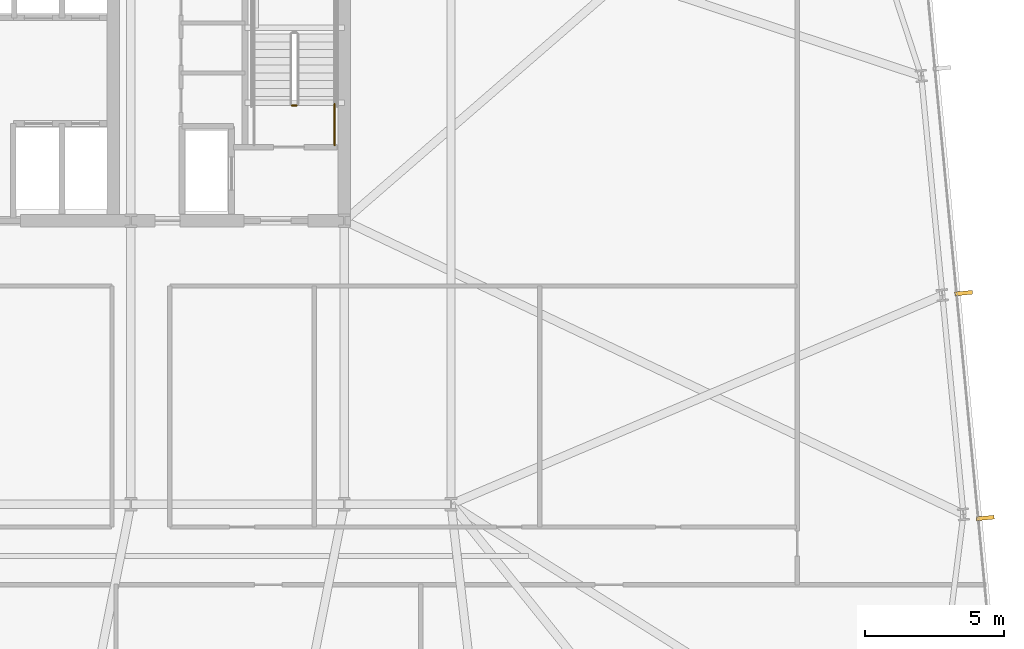
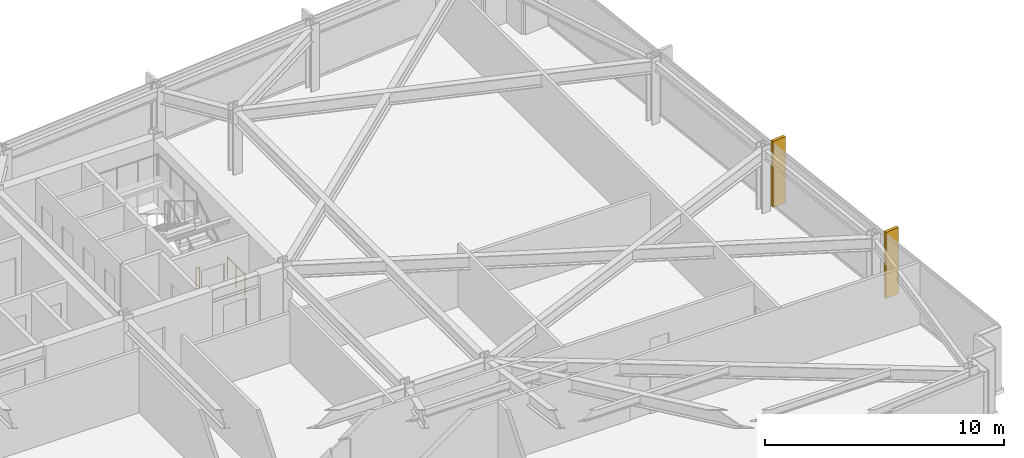
# One storey, part 30 of 32: 2 railings, 2 shading devices.
"""IFC4 building model written with IfcOpenShell, lengths in metres."""

from ifc_helpers import new_model, si_unit, direction, frame, origin, origin_2d, place, context, subcontext, project, spatial, rectangle, circle, extrude, material, layer, layer_set, type_object, element, save


model = new_model("IFC4")

# Units and contexts
model_context = context("Model", 3, precision=1e-05, world=origin(), true_north=direction((0.0, 1.0)))
body_context = subcontext(model_context, "Body", "Model", "MODEL_VIEW")
ifc_project = project(units=[si_unit("LENGTHUNIT", "METRE"), si_unit("AREAUNIT", "SQUARE_METRE"), si_unit("VOLUMEUNIT", "CUBIC_METRE"), si_unit("PLANEANGLEUNIT", "RADIAN"), si_unit("MASSUNIT", "GRAM", prefix="KILO")], contexts=[model_context])

# Site, building, storey
site_placement = place(None, origin())
site = spatial("IfcSite", under=ifc_project, at=site_placement, CompositionType="ELEMENT")
building_placement = place(site_placement, origin())
building = spatial("IfcBuilding", under=site, at=building_placement, Name="Yelkora Congress Tower", CompositionType="ELEMENT")
storey_placement = place(building_placement, frame((0.0, 0.0, 99.89990234375)))
storey = spatial("IfcBuildingStorey", under=building, at=storey_placement, Name="L26", CompositionType="ELEMENT", Elevation=99.89990234375)

# Railings
ifc_material_1 = material(Name="Painted galvanised steel stair well guard with vertical infill", Category="steel")
ifc_layer_1 = layer(ifc_material_1, 0.06005859375)
ifc_layer_set_1 = layer_set([ifc_layer_1], Name="Painted galvanised steel stair well guard with vertical infill")
railing_type = type_object("IfcRailingType", Name="RAIL-STAIR-GUARD-1120", PredefinedType="GUARDRAIL", material=ifc_layer_set_1)
railing_1_placement = place(storey_placement, frame((52.0400390625, 39.550048828125, 0.0)))
element("IfcRailing", 1, at=railing_1_placement, inside=storey, type_object=railing_type, Name="ST-02 L26 Stair Well Guardrail 7", PredefinedType="GUARDRAIL", context=body_context, shape_type="SweptSolid", body=[
    extrude(circle(Radius=0.02392578125, at=origin_2d()), frame((0.0, 0.0, 1.09619140625), z_axis=(-1.0, 0.0, 0.0), x_axis=(0.0, -1.0, 0.0)), (0.0, 0.0, 1.0), 0.16015625),
    extrude(circle(Radius=0.02099609375, at=origin_2d()), origin(), (0.0, 0.0, 1.0), 1.072021484375),
    extrude(circle(Radius=0.02099609375, at=origin_2d()), frame((-0.16015625, 0.0, 0.0)), (0.0, 0.0, 1.0), 1.072021484375),
])
railing_2_placement = place(storey_placement, frame((53.409912109375, 38.1201171875, 0.0)))
element("IfcRailing", 2, at=railing_2_placement, inside=storey, type_object=railing_type, Name="ST-02 L26 Stair Well Guardrail 8", PredefinedType="GUARDRAIL", context=body_context, shape_type="SweptSolid", body=[
    extrude(circle(Radius=0.02392578125, at=origin_2d()), frame((0.0, 0.0, 1.09619140625), z_axis=(0.0, 1.0, 0.0), x_axis=(-1.0, 0.0, 0.0)), (0.0, 0.0, 1.0), 1.47998046875),
    extrude(circle(Radius=0.02099609375, at=origin_2d()), origin(), (0.0, 0.0, 1.0), 1.072021484375),
    extrude(circle(Radius=0.02099609375, at=origin_2d()), frame((0.0, 0.739990234375, 0.0)), (0.0, 0.0, 1.0), 1.072021484375),
    extrude(circle(Radius=0.02099609375, at=origin_2d()), frame((0.0, 1.47998046875, 0.0)), (0.0, 0.0, 1.0), 1.072021484375),
])

# Shading devices
ifc_material_2 = material(Name="Champagne anodised aluminium", Category="aluminium")
ifc_layer_2 = layer(ifc_material_2, 3.39990234375)
ifc_layer_set_2 = layer_set([ifc_layer_2], Name="Champagne anodised aluminium")
shading_device_type = type_object("IfcShadingDeviceType", Name="SHD-FIN-ALU-640", PredefinedType="USERDEFINED", material=ifc_layer_set_2)
for number, where, z_axis, x_axis, name in (
    (3, (76.048095703125, 32.7958984375, -0.02978515625), (0.0, 0.0, 1.0), (0.09584575252, -0.995396198367, 0.0), "L26 Vertical Anodised Solar Fin 15-2"),
    (4, (76.827392578125, 24.703125, -0.02978515625), (0.0, 0.0, 1.0), (0.09584575252, -0.995396198367, 0.0), "L26 Vertical Anodised Solar Fin 15-3"),
):
    element("IfcShadingDevice", number, at=place(storey_placement, frame(where, z_axis=z_axis, x_axis=x_axis)), inside=storey, type_object=shading_device_type, Name=name, ObjectType="FIN", PredefinedType="USERDEFINED", context=body_context, shape_type="SweptSolid", body=[
        extrude(rectangle(XDim=0.139892578125, YDim=0.639892578125, at=origin_2d()), origin(), (0.0, 0.0, 1.0), 3.3798828125),
    ])

save(model, "model.ifc")
